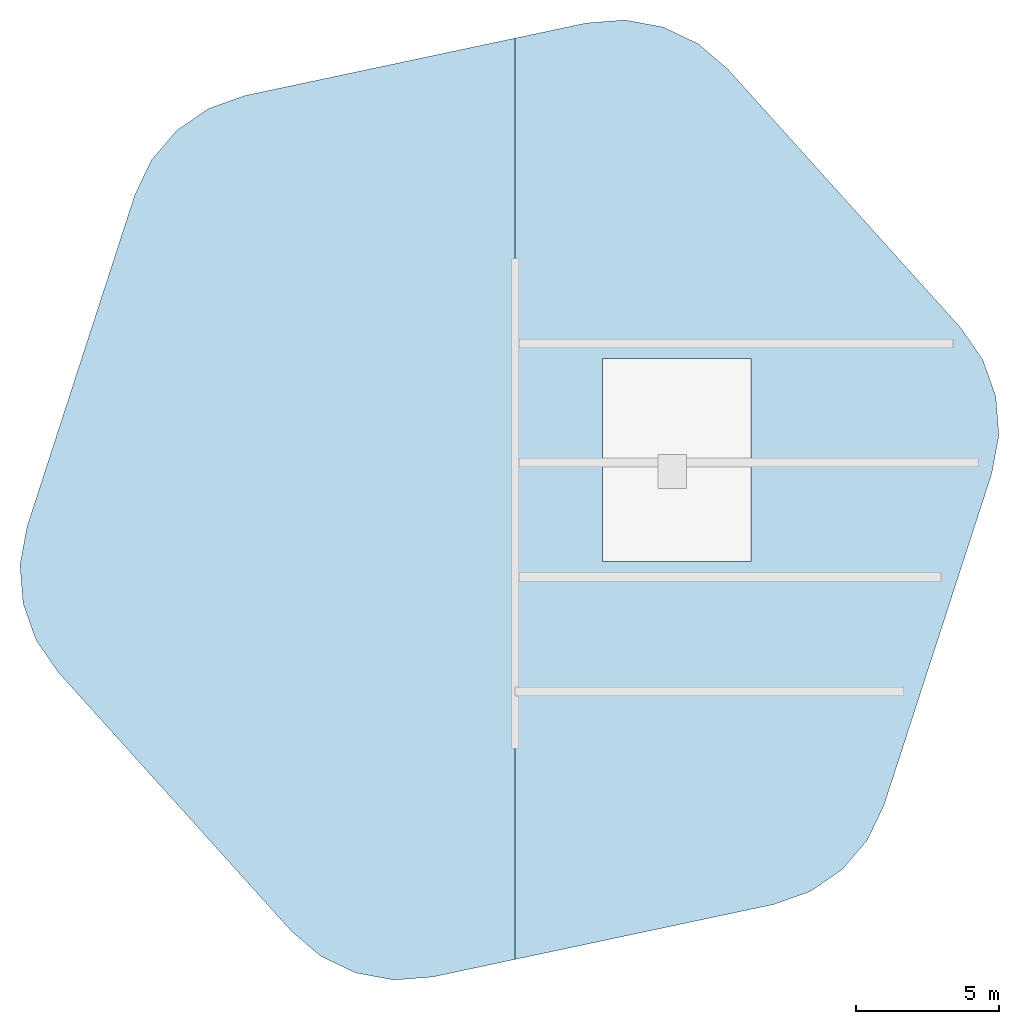
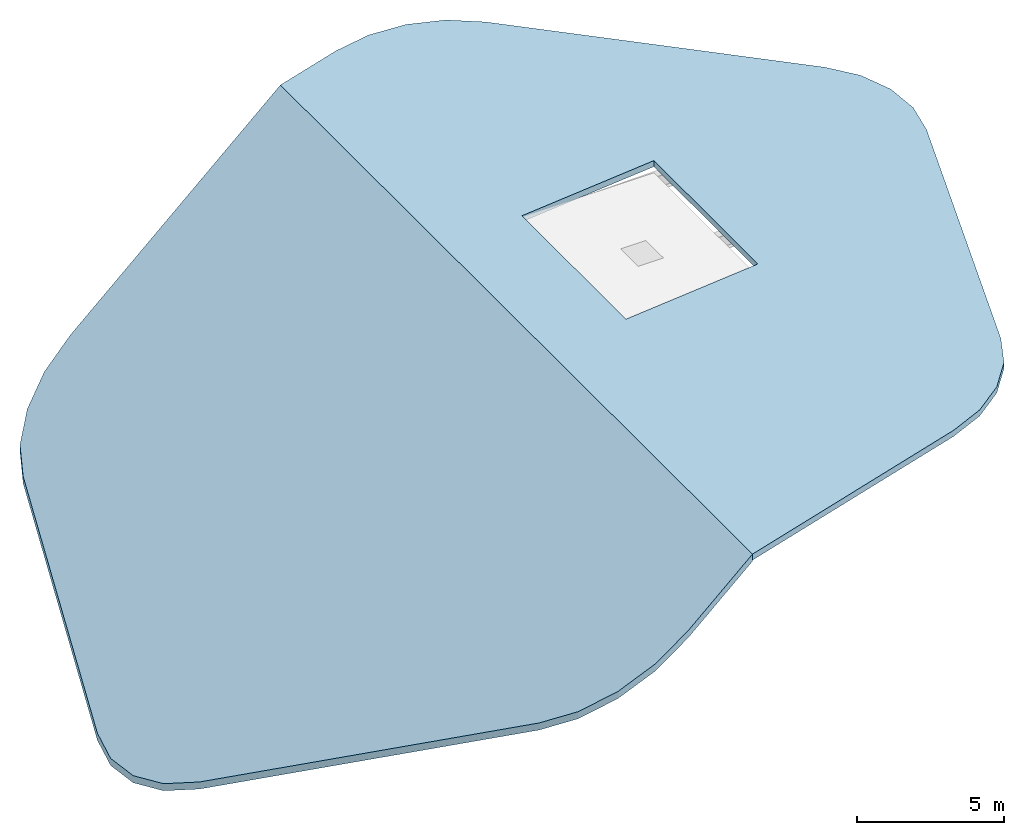
# One storey, part 2 of 2: 2 slabs.
"""IFC4 building model written with IfcOpenShell, lengths in metres."""

from ifc_helpers import new_model, si_unit, direction, frame, origin, place, context, subcontext, project, spatial, polygons, material, layer, layer_set, type_object, element, save


model = new_model("IFC4")

# Units and contexts
model_context = context("Model", 3, precision=1e-05, world=origin(), true_north=direction((0.0, 1.0)))
body_context = subcontext(model_context, "Body", "Model", "MODEL_VIEW")
ifc_project = project(units=[si_unit("LENGTHUNIT", "METRE"), si_unit("AREAUNIT", "SQUARE_METRE"), si_unit("VOLUMEUNIT", "CUBIC_METRE"), si_unit("PLANEANGLEUNIT", "RADIAN"), si_unit("MASSUNIT", "GRAM", prefix="KILO")], contexts=[model_context])

# Site, building, storey
site_placement = place(None, origin())
site = spatial("IfcSite", under=ifc_project, at=site_placement, CompositionType="ELEMENT")
building_placement = place(site_placement, origin())
building = spatial("IfcBuilding", under=site, at=building_placement, Name="Valkerne Bourse Tower", CompositionType="ELEMENT")
storey_placement = place(building_placement, frame((0.0, 0.0, 338.199951171875)))
storey = spatial("IfcBuildingStorey", under=building, at=storey_placement, Name="RF", CompositionType="ELEMENT", Elevation=338.199951171875)

# Slabs
ifc_material = material(Name="Concrete C40/50", Category="concrete")
ifc_layer = layer(ifc_material, 0.25)
ifc_layer_set = layer_set([ifc_layer], Name="Concrete C40/50")
slab_type = type_object("IfcSlabType", Name="SLB-ROOF-250", PredefinedType="ROOF", material=ifc_layer_set)
slab_1_placement = place(storey_placement, origin())
element("IfcSlab", 1, at=slab_1_placement, inside=storey, type_object=slab_type, Name="RF 32-Deg Slanted-Cut Crown Roof Slab West", PredefinedType="ROOF", context=body_context, shape_type="Tessellation", body=[
    polygons([(47.0, 10.9287109375, 0.10009765625), (47.0, 10.9287109375, -0.194580078125), (47.0, 43.15625, 0.10009765625), (47.0, 43.15625, -0.194580078125), (37.558349609375, 41.1494140625, -5.7998046875), (37.558349609375, 41.1494140625, -6.094482421875), (36.27880859375, 40.6962890625, -6.599365234375), (36.27880859375, 40.6962890625, -6.89404296875), (35.16015625, 39.927490234375, -7.29833984375), (35.16015625, 39.927490234375, -7.593017578125), (34.278564453125, 38.895263671875, -7.84912109375), (34.278564453125, 38.895263671875, -8.143798828125), (33.694091796875, 37.669921875, -8.21435546875), (33.694091796875, 37.669921875, -8.509033203125), (29.925537109375, 26.0712890625, -10.5693359375), (29.925537109375, 26.0712890625, -10.864013671875), (29.677978515625, 24.736572265625, -10.723876953125), (29.677978515625, 24.736572265625, -11.0185546875), (29.78466796875, 23.38330078125, -10.6572265625), (29.78466796875, 23.38330078125, -10.951904296875), (30.23779296875, 22.103759765625, -10.3740234375), (30.23779296875, 22.103759765625, -10.668701171875), (31.006591796875, 20.98486328125, -9.893798828125), (31.006591796875, 20.98486328125, -10.1884765625), (39.1669921875, 11.921875, -4.79443359375), (39.1669921875, 11.921875, -5.089111328125), (40.19921875, 11.040283203125, -4.149658203125), (40.19921875, 11.040283203125, -4.4443359375), (41.424560546875, 10.455810546875, -3.3837890625), (41.424560546875, 10.455810546875, -3.678466796875), (42.75927734375, 10.20849609375, -2.5498046875), (42.75927734375, 10.20849609375, -2.844482421875), (44.112548828125, 10.31494140625, -1.704345703125), (44.112548828125, 10.31494140625, -1.9990234375)], [[[25, 31, 33]], [[26, 34, 32]], [[31, 27, 29]], [[32, 30, 28]], [[1, 15, 23]], [[2, 24, 16]], [[15, 19, 21]], [[16, 22, 20]], [[19, 15, 17]], [[20, 18, 16]], [[5, 7, 11]], [[6, 12, 8]], [[11, 7, 9]], [[12, 10, 8]], [[15, 1, 3]], [[16, 4, 2]], [[25, 33, 1]], [[26, 2, 34]], [[25, 27, 31]], [[26, 32, 28]], [[21, 23, 15]], [[22, 16, 24]], [[11, 13, 5]], [[12, 6, 14]], [[3, 5, 13]], [[4, 14, 6]], [[3, 13, 15]], [[4, 16, 14]], [[23, 25, 1]], [[24, 2, 26]], [[1, 2, 4, 3]], [[3, 4, 6, 5]], [[5, 6, 8, 7]], [[7, 8, 10, 9]], [[9, 10, 12, 11]], [[11, 12, 14, 13]], [[13, 14, 16, 15]], [[15, 16, 18, 17]], [[17, 18, 20, 19]], [[19, 20, 22, 21]], [[21, 22, 24, 23]], [[23, 24, 26, 25]], [[25, 26, 28, 27]], [[27, 28, 30, 29]], [[29, 30, 32, 31]], [[31, 32, 34, 33]], [[33, 34, 2, 1]]], closed=True),
])
slab_2_placement = place(storey_placement, origin())
element("IfcSlab", 2, at=slab_2_placement, inside=storey, type_object=slab_type, Name="RF Crown Apex Roof Slab East", PredefinedType="ROOF", context=body_context, shape_type="Tessellation", body=[
    polygons([(47.0, 43.15625, 0.10009765625), (47.0, 43.15625, -0.15087890625), (47.0, 10.9287109375, 0.10009765625), (47.0, 10.9287109375, -0.15087890625), (56.04150390625, 12.8505859375, 0.931396484375), (56.04150390625, 12.8505859375, 0.680419921875), (57.3212890625, 13.3037109375, 1.049072265625), (57.3212890625, 13.3037109375, 0.798095703125), (58.43994140625, 14.072509765625, 1.15185546875), (58.43994140625, 14.072509765625, 0.90087890625), (59.321533203125, 15.104736328125, 1.23291015625), (59.321533203125, 15.104736328125, 0.98193359375), (59.906005859375, 16.330078125, 1.28662109375), (59.906005859375, 16.330078125, 1.03564453125), (63.674560546875, 27.9287109375, 1.633056640625), (63.674560546875, 27.9287109375, 1.382080078125), (63.921875, 29.263427734375, 1.65576171875), (63.921875, 29.263427734375, 1.40478515625), (63.8154296875, 30.61669921875, 1.64599609375), (63.8154296875, 30.61669921875, 1.39501953125), (63.3623046875, 31.896240234375, 1.6044921875), (63.3623046875, 31.896240234375, 1.353515625), (62.593505859375, 33.01513671875, 1.53369140625), (62.593505859375, 33.01513671875, 1.28271484375), (54.43310546875, 42.078125, 0.783447265625), (54.43310546875, 42.078125, 0.532470703125), (53.40087890625, 42.959716796875, 0.6884765625), (53.40087890625, 42.959716796875, 0.4375), (52.175537109375, 43.544189453125, 0.575927734375), (52.175537109375, 43.544189453125, 0.324951171875), (50.8408203125, 43.79150390625, 0.453125), (50.8408203125, 43.79150390625, 0.2021484375), (49.487548828125, 43.68505859375, 0.328857421875), (49.487548828125, 43.68505859375, 0.077880859375), (50.050048828125, 31.949951171875, 0.38037109375), (50.050048828125, 31.949951171875, 0.12939453125), (55.25, 31.949951171875, 0.858642578125), (55.25, 31.949951171875, 0.607666015625), (55.25, 24.85009765625, 0.858642578125), (55.25, 24.85009765625, 0.607666015625), (50.050048828125, 24.85009765625, 0.38037109375), (50.050048828125, 24.85009765625, 0.12939453125)], [[[35, 33, 1]], [[36, 2, 34]], [[1, 41, 35]], [[2, 36, 42]], [[27, 29, 31]], [[28, 32, 30]], [[31, 25, 27]], [[32, 28, 26]], [[37, 15, 17]], [[38, 18, 16]], [[37, 17, 19]], [[38, 20, 18]], [[11, 13, 5]], [[12, 6, 14]], [[7, 9, 11]], [[8, 12, 10]], [[11, 5, 7]], [[12, 8, 6]], [[3, 41, 1]], [[4, 2, 42]], [[25, 33, 35]], [[26, 36, 34]], [[31, 33, 25]], [[32, 26, 34]], [[19, 21, 37]], [[20, 38, 22]], [[39, 13, 15]], [[40, 16, 14]], [[41, 3, 5]], [[42, 6, 4]], [[5, 39, 41]], [[6, 42, 40]], [[35, 37, 25]], [[36, 26, 38]], [[21, 23, 37]], [[22, 38, 24]], [[13, 39, 5]], [[14, 6, 40]], [[23, 25, 37]], [[24, 38, 26]], [[15, 37, 39]], [[16, 40, 38]], [[1, 2, 4, 3]], [[3, 4, 6, 5]], [[5, 6, 8, 7]], [[7, 8, 10, 9]], [[9, 10, 12, 11]], [[11, 12, 14, 13]], [[13, 14, 16, 15]], [[15, 16, 18, 17]], [[17, 18, 20, 19]], [[19, 20, 22, 21]], [[21, 22, 24, 23]], [[23, 24, 26, 25]], [[25, 26, 28, 27]], [[27, 28, 30, 29]], [[29, 30, 32, 31]], [[31, 32, 34, 33]], [[33, 34, 2, 1]], [[35, 36, 38, 37]], [[37, 38, 40, 39]], [[39, 40, 42, 41]], [[41, 42, 36, 35]]], closed=True),
])

save(model, "model.ifc")
